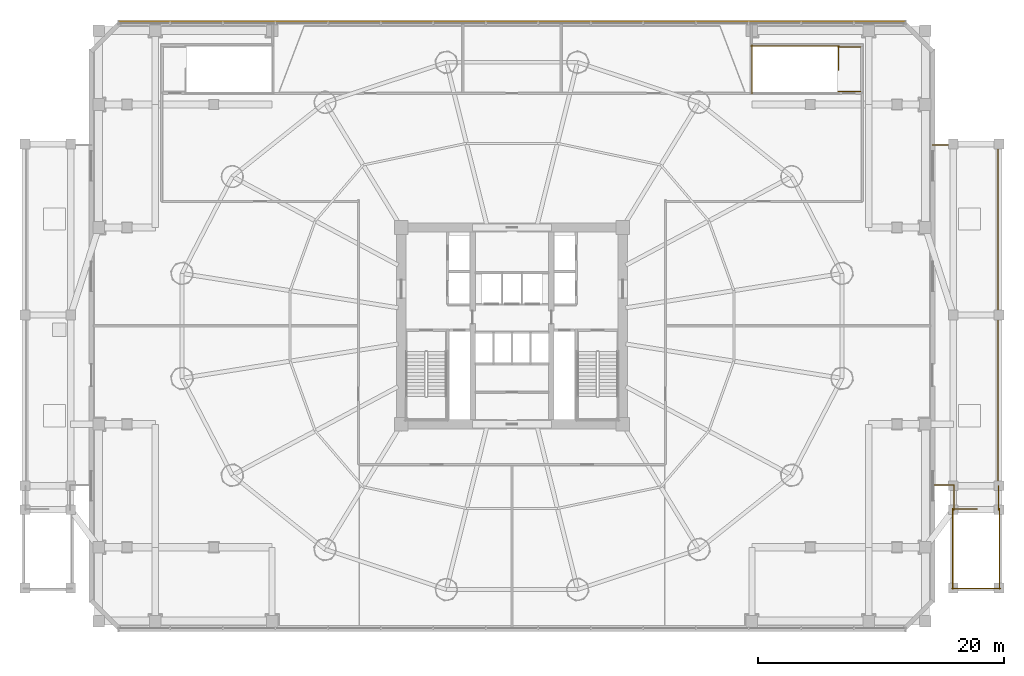
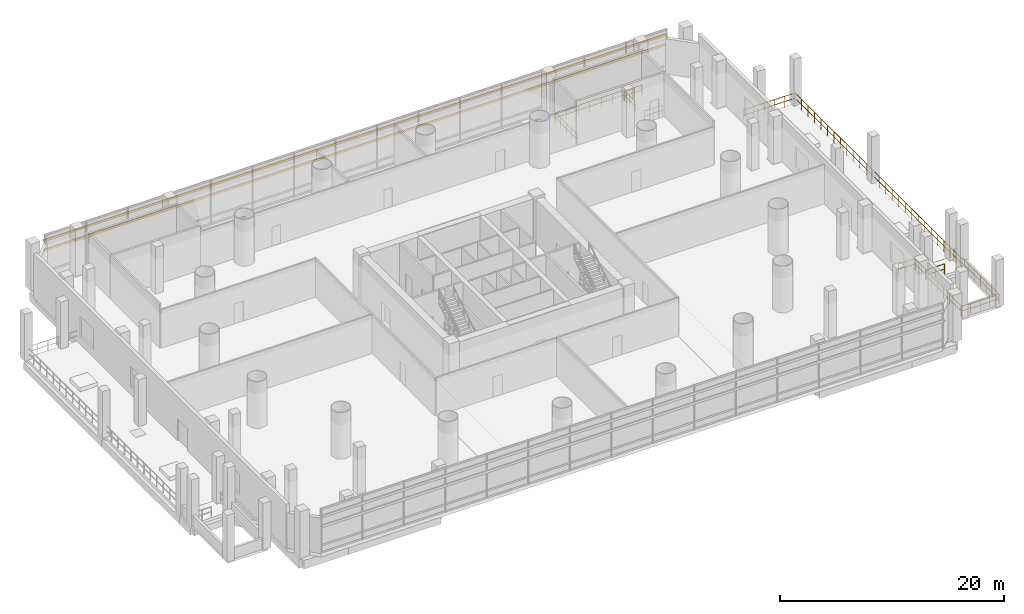
# One storey, part 31 of 31: 13 railings, 2 shading devices.
"""IFC4 building model written with IfcOpenShell, lengths in metres."""

from ifc_helpers import new_model, si_unit, direction, frame, origin, origin_2d, place, context, subcontext, project, spatial, rectangle, hollow_rectangle, extrude, source, transform, mapped, material, material_profile, profile_set, type_object, element, save


model = new_model("IFC4")

# Units and contexts
model_context = context("Model", 3, precision=1e-05, world=origin(), true_north=direction((-0.2419218956, 0.970295726276)))
body_context = subcontext(model_context, "Body", "Model", "MODEL_VIEW")
ifc_project = project(units=[si_unit("LENGTHUNIT", "METRE"), si_unit("AREAUNIT", "SQUARE_METRE"), si_unit("VOLUMEUNIT", "CUBIC_METRE"), si_unit("PLANEANGLEUNIT", "RADIAN"), si_unit("MASSUNIT", "GRAM", prefix="KILO")], contexts=[model_context])

# Site, building, storey
site_placement = place(None, origin())
site = spatial("IfcSite", under=ifc_project, at=site_placement, CompositionType="ELEMENT")
building_placement = place(site_placement, origin())
building = spatial("IfcBuilding", under=site, at=building_placement, Name="Cobrevalo Terracotta Tower", CompositionType="ELEMENT")
storey_placement = place(building_placement, frame((0.0, 0.0, 18.89990234375)))
storey = spatial("IfcBuildingStorey", under=building, at=storey_placement, Name="L04", CompositionType="ELEMENT", Elevation=18.89990234375)

# Railings
ifc_material_1 = material(Name="Architectural bronze steel and glass", Category="steel")
railing_type_1 = type_object("IfcRailingType", Name="Raised garden & podium roof terrace guard balustrade 1200 mm", PredefinedType="BALUSTRADE", material=ifc_material_1)
railing_1_placement = place(storey_placement, frame((77.52001953125, 13.800048828125, 0.0)))
element("IfcRailing", 1, at=railing_1_placement, inside=storey, type_object=railing_type_1, Name="L04 east raised garden outer guard balustrade", PredefinedType="BALUSTRADE", context=body_context, shape_type="SweptSolid", body=[
    extrude(rectangle(XDim=0.048095703125, YDim=0.048095703125, at=origin_2d()), frame((0.0, 0.0, 1.17578125), z_axis=(0.0, 1.0, 0.0), x_axis=(-1.0, 0.0, 0.0)), (0.0, 0.0, 1.0), 27.719970703125),
    extrude(rectangle(XDim=0.048095703125, YDim=0.048095703125, at=origin_2d()), frame((0.0, 0.0, 0.60009765625), z_axis=(0.0, 1.0, 0.0), x_axis=(-1.0, 0.0, 0.0)), (0.0, 0.0, 1.0), 27.719970703125),
    extrude(rectangle(XDim=0.048095703125, YDim=0.048095703125, at=origin_2d()), frame((0.0, 27.719970703125, 1.17578125), z_axis=(-1.0, 0.0, 0.0), x_axis=(0.0, -1.0, 0.0)), (0.0, 0.0, 1.0), 5.320068359375),
    extrude(rectangle(XDim=0.048095703125, YDim=0.048095703125, at=origin_2d()), frame((0.0, 27.719970703125, 0.60009765625), z_axis=(-1.0, 0.0, 0.0), x_axis=(0.0, -1.0, 0.0)), (0.0, 0.0, 1.0), 5.320068359375),
    extrude(rectangle(XDim=0.0419921875, YDim=0.0419921875, at=origin_2d()), origin(), (0.0, 0.0, 1.0), 1.15185546875),
    extrude(rectangle(XDim=0.0419921875, YDim=0.0419921875, at=origin_2d()), frame((0.0, 1.155029296875, 0.0)), (0.0, 0.0, 1.0), 1.15185546875),
    extrude(rectangle(XDim=0.0419921875, YDim=0.0419921875, at=origin_2d()), frame((0.0, 2.31005859375, 0.0)), (0.0, 0.0, 1.0), 1.15185546875),
    extrude(rectangle(XDim=0.0419921875, YDim=0.0419921875, at=origin_2d()), frame((0.0, 3.465087890625, 0.0)), (0.0, 0.0, 1.0), 1.15185546875),
    extrude(rectangle(XDim=0.0419921875, YDim=0.0419921875, at=origin_2d()), frame((0.0, 4.6201171875, 0.0)), (0.0, 0.0, 1.0), 1.15185546875),
    extrude(rectangle(XDim=0.0419921875, YDim=0.0419921875, at=origin_2d()), frame((0.0, 5.77490234375, 0.0)), (0.0, 0.0, 1.0), 1.15185546875),
    extrude(rectangle(XDim=0.0419921875, YDim=0.0419921875, at=origin_2d()), frame((0.0, 6.929931640625, 0.0)), (0.0, 0.0, 1.0), 1.15185546875),
    extrude(rectangle(XDim=0.0419921875, YDim=0.0419921875, at=origin_2d()), frame((0.0, 8.0849609375, 0.0)), (0.0, 0.0, 1.0), 1.15185546875),
    extrude(rectangle(XDim=0.0419921875, YDim=0.0419921875, at=origin_2d()), frame((0.0, 9.239990234375, 0.0)), (0.0, 0.0, 1.0), 1.15185546875),
    extrude(rectangle(XDim=0.0419921875, YDim=0.0419921875, at=origin_2d()), frame((0.0, 10.39501953125, 0.0)), (0.0, 0.0, 1.0), 1.15185546875),
    extrude(rectangle(XDim=0.0419921875, YDim=0.0419921875, at=origin_2d()), frame((0.0, 11.550048828125, 0.0)), (0.0, 0.0, 1.0), 1.15185546875),
    extrude(rectangle(XDim=0.0419921875, YDim=0.0419921875, at=origin_2d()), frame((0.0, 12.705078125, 0.0)), (0.0, 0.0, 1.0), 1.15185546875),
    extrude(rectangle(XDim=0.0419921875, YDim=0.0419921875, at=origin_2d()), frame((0.0, 13.85986328125, 0.0)), (0.0, 0.0, 1.0), 1.15185546875),
    extrude(rectangle(XDim=0.0419921875, YDim=0.0419921875, at=origin_2d()), frame((0.0, 15.014892578125, 0.0)), (0.0, 0.0, 1.0), 1.15185546875),
    extrude(rectangle(XDim=0.0419921875, YDim=0.0419921875, at=origin_2d()), frame((0.0, 16.169921875, 0.0)), (0.0, 0.0, 1.0), 1.15185546875),
    extrude(rectangle(XDim=0.0419921875, YDim=0.0419921875, at=origin_2d()), frame((0.0, 17.324951171875, 0.0)), (0.0, 0.0, 1.0), 1.15185546875),
    extrude(rectangle(XDim=0.0419921875, YDim=0.0419921875, at=origin_2d()), frame((0.0, 18.47998046875, 0.0)), (0.0, 0.0, 1.0), 1.15185546875),
    extrude(rectangle(XDim=0.0419921875, YDim=0.0419921875, at=origin_2d()), frame((0.0, 19.635009765625, 0.0)), (0.0, 0.0, 1.0), 1.15185546875),
    extrude(rectangle(XDim=0.0419921875, YDim=0.0419921875, at=origin_2d()), frame((0.0, 20.7900390625, 0.0)), (0.0, 0.0, 1.0), 1.15185546875),
    extrude(rectangle(XDim=0.0419921875, YDim=0.0419921875, at=origin_2d()), frame((0.0, 21.945068359375, 0.0)), (0.0, 0.0, 1.0), 1.15185546875),
    extrude(rectangle(XDim=0.0419921875, YDim=0.0419921875, at=origin_2d()), frame((0.0, 23.10009765625, 0.0)), (0.0, 0.0, 1.0), 1.15185546875),
    extrude(rectangle(XDim=0.0419921875, YDim=0.0419921875, at=origin_2d()), frame((0.0, 24.2548828125, 0.0)), (0.0, 0.0, 1.0), 1.15185546875),
    extrude(rectangle(XDim=0.0419921875, YDim=0.0419921875, at=origin_2d()), frame((0.0, 25.409912109375, 0.0)), (0.0, 0.0, 1.0), 1.15185546875),
    extrude(rectangle(XDim=0.0419921875, YDim=0.0419921875, at=origin_2d()), frame((0.0, 26.56494140625, 0.0)), (0.0, 0.0, 1.0), 1.15185546875),
    extrude(rectangle(XDim=0.0419921875, YDim=0.0419921875, at=origin_2d()), frame((0.0, 27.719970703125, 0.0)), (0.0, 0.0, 1.0), 1.15185546875),
    extrude(rectangle(XDim=0.0419921875, YDim=0.0419921875, at=origin_2d()), frame((-1.06396484375, 27.719970703125, 0.0)), (0.0, 0.0, 1.0), 1.15185546875),
    extrude(rectangle(XDim=0.0419921875, YDim=0.0419921875, at=origin_2d()), frame((-2.1279296875, 27.719970703125, 0.0)), (0.0, 0.0, 1.0), 1.15185546875),
    extrude(rectangle(XDim=0.0419921875, YDim=0.0419921875, at=origin_2d()), frame((-3.192138671875, 27.719970703125, 0.0)), (0.0, 0.0, 1.0), 1.15185546875),
    extrude(rectangle(XDim=0.0419921875, YDim=0.0419921875, at=origin_2d()), frame((-4.256103515625, 27.719970703125, 0.0)), (0.0, 0.0, 1.0), 1.15185546875),
    extrude(rectangle(XDim=0.0419921875, YDim=0.0419921875, at=origin_2d()), frame((-5.320068359375, 27.719970703125, 0.0)), (0.0, 0.0, 1.0), 1.15185546875),
])
railing_2_placement = place(storey_placement, frame((72.199951171875, 13.8798828125, 0.0)))
element("IfcRailing", 2, at=railing_2_placement, inside=storey, type_object=railing_type_1, Name="L04 east raised garden south return guard", PredefinedType="BALUSTRADE", context=body_context, shape_type="SweptSolid", body=[
    extrude(rectangle(XDim=0.048095703125, YDim=0.048095703125, at=origin_2d()), frame((0.0, 0.0, 1.17578125), z_axis=(1.0, 0.0, 0.0), x_axis=(0.0, 1.0, 0.0)), (0.0, 0.0, 1.0), 1.719970703125),
    extrude(rectangle(XDim=0.048095703125, YDim=0.048095703125, at=origin_2d()), frame((0.0, 0.0, 0.60009765625), z_axis=(1.0, 0.0, 0.0), x_axis=(0.0, 1.0, 0.0)), (0.0, 0.0, 1.0), 1.719970703125),
    extrude(rectangle(XDim=0.0419921875, YDim=0.0419921875, at=origin_2d()), origin(), (0.0, 0.0, 1.0), 1.15185546875),
    extrude(rectangle(XDim=0.0419921875, YDim=0.0419921875, at=origin_2d()), frame((0.85986328125, 0.0, 0.0)), (0.0, 0.0, 1.0), 1.15185546875),
    extrude(rectangle(XDim=0.0419921875, YDim=0.0419921875, at=origin_2d()), frame((1.719970703125, 0.0, 0.0)), (0.0, 0.0, 1.0), 1.15185546875),
])
ifc_material_2 = material(Name="Painted galvanized steel", Category="steel")
railing_type_2 = type_object("IfcRailingType", Name="Stair Well Guard Balustrade 1150", PredefinedType="GUARDRAIL", material=ifc_material_2)
railing_3_placement = place(storey_placement, frame((64.550048828125, 49.52001953125, 0.0)))
element("IfcRailing", 3, at=railing_3_placement, inside=storey, type_object=railing_type_2, Name="L04 ST-P2 top well guard 1", PredefinedType="GUARDRAIL", context=body_context, shape_type="SweptSolid", body=[
    extrude(rectangle(XDim=0.048095703125, YDim=0.048095703125, at=origin_2d()), frame((0.0, 0.0, 1.1259765625), z_axis=(0.0, -1.0, 0.0), x_axis=(1.0, 0.0, 0.0)), (0.0, 0.0, 1.0), 1.919921875),
    extrude(rectangle(XDim=0.048095703125, YDim=0.048095703125, at=origin_2d()), frame((0.0, 0.0, 0.574951171875), z_axis=(0.0, -1.0, 0.0), x_axis=(1.0, 0.0, 0.0)), (0.0, 0.0, 1.0), 1.919921875),
    extrude(rectangle(XDim=0.0419921875, YDim=0.0419921875, at=origin_2d()), origin(), (0.0, 0.0, 1.0), 1.101806640625),
    extrude(rectangle(XDim=0.0419921875, YDim=0.0419921875, at=origin_2d()), frame((0.0, -0.9599609375, 0.0)), (0.0, 0.0, 1.0), 1.101806640625),
    extrude(rectangle(XDim=0.0419921875, YDim=0.0419921875, at=origin_2d()), frame((0.0, -1.919921875, 0.0)), (0.0, 0.0, 1.0), 1.101806640625),
])
railing_4_placement = place(storey_placement, frame((64.60009765625, 49.570068359375, 0.0)))
element("IfcRailing", 4, at=railing_4_placement, inside=storey, type_object=railing_type_2, Name="L04 ST-P2 top well guard 2", PredefinedType="GUARDRAIL", context=body_context, shape_type="SweptSolid", body=[
    extrude(rectangle(XDim=0.048095703125, YDim=0.048095703125, at=origin_2d()), frame((0.0, 0.0, 1.1259765625), z_axis=(-1.0, 0.0, 0.0), x_axis=(0.0, -1.0, 0.0)), (0.0, 0.0, 1.0), 7.150146484375),
    extrude(rectangle(XDim=0.048095703125, YDim=0.048095703125, at=origin_2d()), frame((0.0, 0.0, 0.574951171875), z_axis=(-1.0, 0.0, 0.0), x_axis=(0.0, -1.0, 0.0)), (0.0, 0.0, 1.0), 7.150146484375),
    extrude(rectangle(XDim=0.0419921875, YDim=0.0419921875, at=origin_2d()), origin(), (0.0, 0.0, 1.0), 1.101806640625),
    extrude(rectangle(XDim=0.0419921875, YDim=0.0419921875, at=origin_2d()), frame((-1.191650390625, 0.0, 0.0)), (0.0, 0.0, 1.0), 1.101806640625),
    extrude(rectangle(XDim=0.0419921875, YDim=0.0419921875, at=origin_2d()), frame((-2.38330078125, 0.0, 0.0)), (0.0, 0.0, 1.0), 1.101806640625),
    extrude(rectangle(XDim=0.0419921875, YDim=0.0419921875, at=origin_2d()), frame((-3.5751953125, 0.0, 0.0)), (0.0, 0.0, 1.0), 1.101806640625),
    extrude(rectangle(XDim=0.0419921875, YDim=0.0419921875, at=origin_2d()), frame((-4.766845703125, 0.0, 0.0)), (0.0, 0.0, 1.0), 1.101806640625),
    extrude(rectangle(XDim=0.0419921875, YDim=0.0419921875, at=origin_2d()), frame((-5.95849609375, 0.0, 0.0)), (0.0, 0.0, 1.0), 1.101806640625),
    extrude(rectangle(XDim=0.0419921875, YDim=0.0419921875, at=origin_2d()), frame((-7.150146484375, 0.0, 0.0)), (0.0, 0.0, 1.0), 1.101806640625),
])
railing_5_placement = place(storey_placement, frame((57.5, 49.6201171875, 0.0)))
element("IfcRailing", 5, at=railing_5_placement, inside=storey, type_object=railing_type_2, Name="L04 ST-P2 top well guard 4", PredefinedType="GUARDRAIL", context=body_context, shape_type="SweptSolid", body=[
    extrude(rectangle(XDim=0.048095703125, YDim=0.048095703125, at=origin_2d()), frame((0.0, 0.0, 1.1259765625), z_axis=(0.0, -1.0, 0.0), x_axis=(1.0, 0.0, 0.0)), (0.0, 0.0, 1.0), 3.920166015625),
    extrude(rectangle(XDim=0.048095703125, YDim=0.048095703125, at=origin_2d()), frame((0.0, 0.0, 0.574951171875), z_axis=(0.0, -1.0, 0.0), x_axis=(1.0, 0.0, 0.0)), (0.0, 0.0, 1.0), 3.920166015625),
    extrude(rectangle(XDim=0.0419921875, YDim=0.0419921875, at=origin_2d()), origin(), (0.0, 0.0, 1.0), 1.101806640625),
    extrude(rectangle(XDim=0.0419921875, YDim=0.0419921875, at=origin_2d()), frame((0.0, -0.97998046875, 0.0)), (0.0, 0.0, 1.0), 1.101806640625),
    extrude(rectangle(XDim=0.0419921875, YDim=0.0419921875, at=origin_2d()), frame((0.0, -1.9599609375, 0.0)), (0.0, 0.0, 1.0), 1.101806640625),
    extrude(rectangle(XDim=0.0419921875, YDim=0.0419921875, at=origin_2d()), frame((0.0, -2.940185546875, 0.0)), (0.0, 0.0, 1.0), 1.101806640625),
    extrude(rectangle(XDim=0.0419921875, YDim=0.0419921875, at=origin_2d()), frame((0.0, -3.920166015625, 0.0)), (0.0, 0.0, 1.0), 1.101806640625),
])
for number, where, name in (
    (6, (66.35009765625, 49.469970703125, 0.0), "L04 ST-P2 top well guard 5"),
    (7, (66.35009765625, 45.85009765625, 0.0), "L04 ST-P2 top well guard 6"),
):
    element("IfcRailing", number, at=place(storey_placement, frame(where)), inside=storey, type_object=railing_type_2, Name=name, PredefinedType="GUARDRAIL", context=body_context, shape_type="SweptSolid", body=[
        extrude(rectangle(XDim=0.048095703125, YDim=0.048095703125, at=origin_2d()), frame((0.0, 0.0, 1.1259765625), z_axis=(-1.0, 0.0, 0.0), x_axis=(0.0, -1.0, 0.0)), (0.0, 0.0, 1.0), 1.85009765625),
        extrude(rectangle(XDim=0.048095703125, YDim=0.048095703125, at=origin_2d()), frame((0.0, 0.0, 0.574951171875), z_axis=(-1.0, 0.0, 0.0), x_axis=(0.0, -1.0, 0.0)), (0.0, 0.0, 1.0), 1.85009765625),
        extrude(rectangle(XDim=0.0419921875, YDim=0.0419921875, at=origin_2d()), origin(), (0.0, 0.0, 1.0), 1.101806640625),
        extrude(rectangle(XDim=0.0419921875, YDim=0.0419921875, at=origin_2d()), frame((-0.925048828125, 0.0, 0.0)), (0.0, 0.0, 1.0), 1.101806640625),
        extrude(rectangle(XDim=0.0419921875, YDim=0.0419921875, at=origin_2d()), frame((-1.85009765625, 0.0, 0.0)), (0.0, 0.0, 1.0), 1.101806640625),
    ])
railing_6_placement = place(storey_placement, frame((73.8798828125, 11.89990234375, 0.0)))
element("IfcRailing", 8, at=railing_6_placement, inside=storey, type_object=railing_type_2, Name="L04 ST-EXT-E top well guard 1", PredefinedType="GUARDRAIL", context=body_context, shape_type="SweptSolid", body=[
    extrude(rectangle(XDim=0.048095703125, YDim=0.048095703125, at=origin_2d()), frame((0.0, 0.0, 1.1259765625), z_axis=(1.0, 0.0, 0.0), x_axis=(0.0, 1.0, 0.0)), (0.0, 0.0, 1.0), 1.920166015625),
    extrude(rectangle(XDim=0.048095703125, YDim=0.048095703125, at=origin_2d()), frame((0.0, 0.0, 0.574951171875), z_axis=(1.0, 0.0, 0.0), x_axis=(0.0, 1.0, 0.0)), (0.0, 0.0, 1.0), 1.920166015625),
    extrude(rectangle(XDim=0.0419921875, YDim=0.0419921875, at=origin_2d()), origin(), (0.0, 0.0, 1.0), 1.101806640625),
    extrude(rectangle(XDim=0.0419921875, YDim=0.0419921875, at=origin_2d()), frame((0.9599609375, 0.0, 0.0)), (0.0, 0.0, 1.0), 1.101806640625),
    extrude(rectangle(XDim=0.0419921875, YDim=0.0419921875, at=origin_2d()), frame((1.920166015625, 0.0, 0.0)), (0.0, 0.0, 1.0), 1.101806640625),
])
for number, where, name in (
    (9, (73.830078125, 11.949951171875, 0.0), "L04 ST-EXT-E top well guard 2"),
    (10, (77.64990234375, 11.949951171875, 0.0), "L04 ST-EXT-E top well guard 3"),
):
    element("IfcRailing", number, at=place(storey_placement, frame(where)), inside=storey, type_object=railing_type_2, Name=name, PredefinedType="GUARDRAIL", context=body_context, shape_type="SweptSolid", body=[
        extrude(rectangle(XDim=0.048095703125, YDim=0.048095703125, at=origin_2d()), frame((0.0, 0.0, 1.1259765625), z_axis=(0.0, -1.0, 0.0), x_axis=(1.0, 0.0, 0.0)), (0.0, 0.0, 1.0), 6.550048828125),
        extrude(rectangle(XDim=0.048095703125, YDim=0.048095703125, at=origin_2d()), frame((0.0, 0.0, 0.574951171875), z_axis=(0.0, -1.0, 0.0), x_axis=(1.0, 0.0, 0.0)), (0.0, 0.0, 1.0), 6.550048828125),
        extrude(rectangle(XDim=0.0419921875, YDim=0.0419921875, at=origin_2d()), origin(), (0.0, 0.0, 1.0), 1.101806640625),
        extrude(rectangle(XDim=0.0419921875, YDim=0.0419921875, at=origin_2d()), frame((0.0, -1.091796875, 0.0)), (0.0, 0.0, 1.0), 1.101806640625),
        extrude(rectangle(XDim=0.0419921875, YDim=0.0419921875, at=origin_2d()), frame((0.0, -2.183349609375, 0.0)), (0.0, 0.0, 1.0), 1.101806640625),
        extrude(rectangle(XDim=0.0419921875, YDim=0.0419921875, at=origin_2d()), frame((0.0, -3.27490234375, 0.0)), (0.0, 0.0, 1.0), 1.101806640625),
        extrude(rectangle(XDim=0.0419921875, YDim=0.0419921875, at=origin_2d()), frame((0.0, -4.36669921875, 0.0)), (0.0, 0.0, 1.0), 1.101806640625),
        extrude(rectangle(XDim=0.0419921875, YDim=0.0419921875, at=origin_2d()), frame((0.0, -5.45849609375, 0.0)), (0.0, 0.0, 1.0), 1.101806640625),
        extrude(rectangle(XDim=0.0419921875, YDim=0.0419921875, at=origin_2d()), frame((0.0, -6.550048828125, 0.0)), (0.0, 0.0, 1.0), 1.101806640625),
    ])
railing_7_placement = place(storey_placement, frame((73.780029296875, 5.449951171875, 0.0)))
element("IfcRailing", 11, at=railing_7_placement, inside=storey, type_object=railing_type_2, Name="L04 ST-EXT-E top well guard 4", PredefinedType="GUARDRAIL", context=body_context, shape_type="SweptSolid", body=[
    extrude(rectangle(XDim=0.048095703125, YDim=0.048095703125, at=origin_2d()), frame((0.0, 0.0, 1.1259765625), z_axis=(1.0, 0.0, 0.0), x_axis=(0.0, 1.0, 0.0)), (0.0, 0.0, 1.0), 3.919921875),
    extrude(rectangle(XDim=0.048095703125, YDim=0.048095703125, at=origin_2d()), frame((0.0, 0.0, 0.574951171875), z_axis=(1.0, 0.0, 0.0), x_axis=(0.0, 1.0, 0.0)), (0.0, 0.0, 1.0), 3.919921875),
    extrude(rectangle(XDim=0.0419921875, YDim=0.0419921875, at=origin_2d()), origin(), (0.0, 0.0, 1.0), 1.101806640625),
    extrude(rectangle(XDim=0.0419921875, YDim=0.0419921875, at=origin_2d()), frame((0.97998046875, 0.0, 0.0)), (0.0, 0.0, 1.0), 1.101806640625),
    extrude(rectangle(XDim=0.0419921875, YDim=0.0419921875, at=origin_2d()), frame((1.9599609375, 0.0, 0.0)), (0.0, 0.0, 1.0), 1.101806640625),
    extrude(rectangle(XDim=0.0419921875, YDim=0.0419921875, at=origin_2d()), frame((2.93994140625, 0.0, 0.0)), (0.0, 0.0, 1.0), 1.101806640625),
    extrude(rectangle(XDim=0.0419921875, YDim=0.0419921875, at=origin_2d()), frame((3.919921875, 0.0, 0.0)), (0.0, 0.0, 1.0), 1.101806640625),
])
for number, where, name in (
    (12, (73.929931640625, 13.800048828125, 0.0), "L04 ST-EXT-E top well guard 5"),
    (13, (77.550048828125, 13.800048828125, 0.0), "L04 ST-EXT-E top well guard 6"),
):
    element("IfcRailing", number, at=place(storey_placement, frame(where)), inside=storey, type_object=railing_type_2, Name=name, PredefinedType="GUARDRAIL", context=body_context, shape_type="SweptSolid", body=[
        extrude(rectangle(XDim=0.048095703125, YDim=0.048095703125, at=origin_2d()), frame((0.0, 0.0, 1.1259765625), z_axis=(0.0, -1.0, 0.0), x_axis=(1.0, 0.0, 0.0)), (0.0, 0.0, 1.0), 1.949951171875),
        extrude(rectangle(XDim=0.048095703125, YDim=0.048095703125, at=origin_2d()), frame((0.0, 0.0, 0.574951171875), z_axis=(0.0, -1.0, 0.0), x_axis=(1.0, 0.0, 0.0)), (0.0, 0.0, 1.0), 1.949951171875),
        extrude(rectangle(XDim=0.0419921875, YDim=0.0419921875, at=origin_2d()), origin(), (0.0, 0.0, 1.0), 1.101806640625),
        extrude(rectangle(XDim=0.0419921875, YDim=0.0419921875, at=origin_2d()), frame((0.0, -0.97509765625, 0.0)), (0.0, 0.0, 1.0), 1.101806640625),
        extrude(rectangle(XDim=0.0419921875, YDim=0.0419921875, at=origin_2d()), frame((0.0, -1.949951171875, 0.0)), (0.0, 0.0, 1.0), 1.101806640625),
    ])

# Shading devices
ifc_material_3 = material(Name="Extruded fired architectural terracotta", Category="masonry")
ifc_material_profile = material_profile(ifc_material_3, hollow_rectangle(XDim=0.110107421875, YDim=0.239990234375, WallThickness=0.01806640625, at=origin_2d()), Name="BAGUETTE 110x240")
ifc_profile_set = profile_set([ifc_material_profile], Name="Extruded fired architectural terracotta")
shading_device_type = type_object("IfcShadingDeviceType", Name="Horizontal Terracotta Baguette Screen 110x240", PredefinedType="USERDEFINED", material=ifc_profile_set)
shared_shape = source(origin(), body_context, "Body", "SweptSolid", [
    extrude(hollow_rectangle(XDim=0.110107421875, YDim=0.239990234375, WallThickness=0.01806640625, at=origin_2d()), origin(), (0.0, 0.0, 1.0), 64.02001953125),
])
for number, where, z_axis, x_axis, name in (
    (14, (70.010009765625, 51.580078125, 2.988525390625), (-1.0, 0.0, 0.0), (0.0, -1.0, 0.0), "CW-POD-L04-N horizontal terracotta baguette 1"),
    (15, (70.010009765625, 51.580078125, 4.048828125), (-1.0, 0.0, 0.0), (0.0, -1.0, 0.0), "CW-POD-L04-N horizontal terracotta baguette 2"),
):
    element("IfcShadingDevice", number, at=place(storey_placement, frame(where, z_axis=z_axis, x_axis=x_axis)), inside=storey, type_object=shading_device_type, Name=name, ObjectType="BAGUETTE", PredefinedType="USERDEFINED", context=body_context, shape_type="MappedRepresentation", body=[
        mapped(shared_shape, transform((0.0, 0.0, 0.0), scale=1.0)),
    ])

save(model, "model.ifc")
